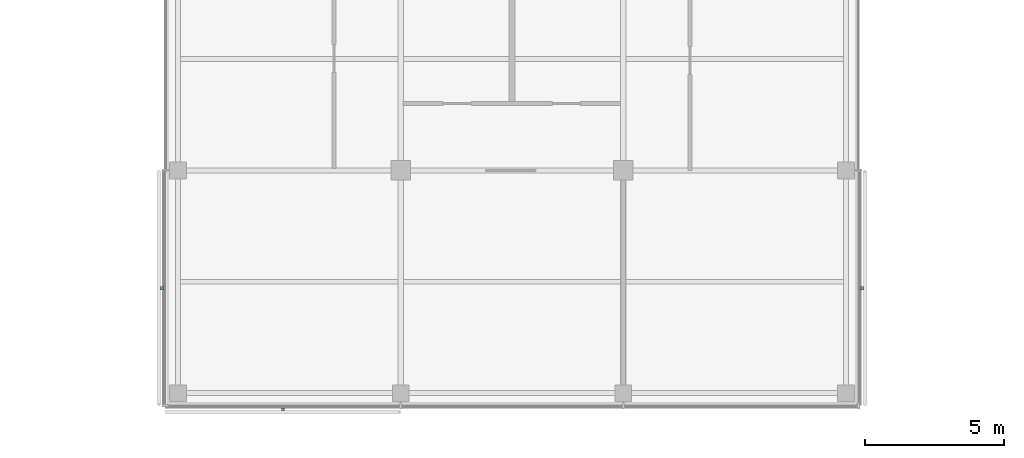
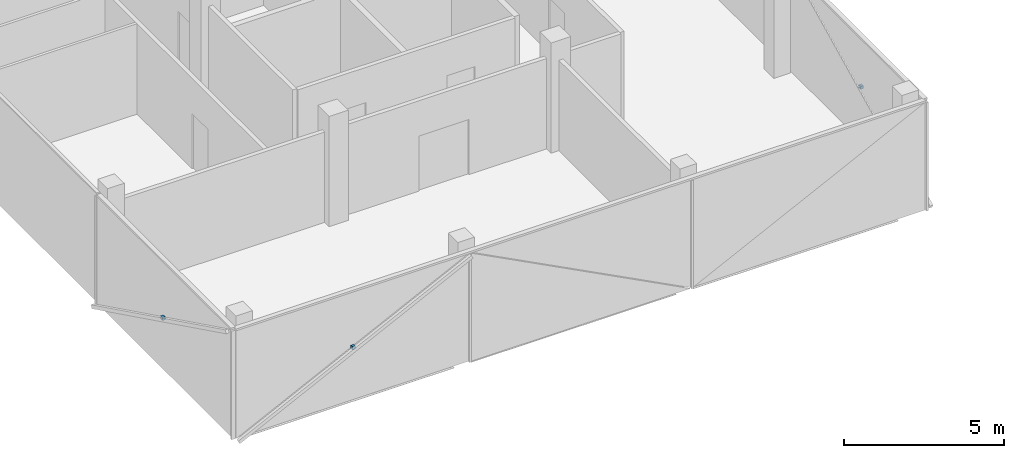
# One storey, part 14 of 16: 3 discrete accessories.
"""IFC4 building model written with IfcOpenShell, lengths in metres."""

import ifcopenshell
import ifcopenshell.guid

model = None  # the IFC model being written
_history = None  # IfcOwnerHistory: only IFC2X3 demands one
_inside = {}  # id of a spatial element -> (the spatial element, [elements in it])
_under = {}  # id of a project, library or spatial element -> (it, [spatial elements below it])
_declared = {}  # id of a project -> (the project, [libraries it declares])
_typed = {}  # id of a type object -> (the type object, [elements of that type])
_made_of = {}  # id of a material, layer set ... -> (it, [elements and type objects made of it])


def new_model(schema):
    """Start an empty IFC model of exactly this schema.

    Asked for "IFC4X3", IfcOpenShell would pick the latest addendum, in which some entities
    have other attributes; the version numbers below select the first issue.
    IFC2X3 requires an IfcOwnerHistory on every rooted entity: one is made here for all.
    """
    global model, _history
    if schema == "IFC4X3":
        model = ifcopenshell.file(schema_version=(4, 3, 0, 0))
    else:
        model = ifcopenshell.file(schema=schema)
    _inside.clear()
    _under.clear()
    _declared.clear()
    _typed.clear()
    _made_of.clear()
    _history = None
    if model.schema == "IFC2X3":
        org = make("IfcOrganization", Name="unknown")
        user = make(
            "IfcPersonAndOrganization",
            ThePerson=make("IfcPerson", FamilyName="unknown"),
            TheOrganization=org,
        )
        app = make(
            "IfcApplication",
            ApplicationDeveloper=org,
            Version="unknown",
            ApplicationFullName="unknown",
            ApplicationIdentifier="unknown",
        )
        _history = make(
            "IfcOwnerHistory",
            OwningUser=user,
            OwningApplication=app,
            ChangeAction="ADDED",
            CreationDate=0,
        )
    return model


def make(cls, **values):
    """One entity of the class cls with the attributes given. An attribute that is None is left unset."""
    return model.create_entity(
        cls, **{name: value for name, value in values.items() if value is not None}
    )


def rooted(cls, **values):
    """An entity with a GlobalId (a new one), such as an element, a storey or a relation."""
    return make(cls, GlobalId=ifcopenshell.guid.new(), OwnerHistory=_history, **values)


def si_unit(unit_type, name, prefix=None):
    """IfcSIUnit, for example si_unit("LENGTHUNIT", "METRE", prefix="MILLI")."""
    return make("IfcSIUnit", UnitType=unit_type, Prefix=prefix, Name=name)


def assignment(units):
    """IfcUnitAssignment: the units of a project."""
    return None if units is None else make("IfcUnitAssignment", Units=units)


def point(xyz):
    """IfcCartesianPoint."""
    return None if xyz is None else make("IfcCartesianPoint", Coordinates=xyz)


def direction(xyz):
    """IfcDirection."""
    return None if xyz is None else make("IfcDirection", DirectionRatios=xyz)


def frame(location, z_axis=None, x_axis=None):
    """IfcAxis2Placement3D, a coordinate frame: its origin and axes. An axis left out is left unset."""
    return make(
        "IfcAxis2Placement3D",
        Location=point(location),
        Axis=direction(z_axis),
        RefDirection=direction(x_axis),
    )


def frame_2d(location, x_axis=None):
    """IfcAxis2Placement2D, a coordinate frame in the plane: its origin and x axis."""
    return make(
        "IfcAxis2Placement2D", Location=point(location), RefDirection=direction(x_axis)
    )


def origin():
    """The frame at (0, 0, 0) with its axes left unset."""
    return frame((0.0, 0.0, 0.0))


def origin_2d():
    """The frame at (0, 0) in the plane with its x axis left unset."""
    return frame_2d((0.0, 0.0))


def place(relative_to, where):
    """IfcLocalPlacement: puts the frame where relative to a parent placement (None: the world)."""
    return make(
        "IfcLocalPlacement", PlacementRelTo=relative_to, RelativePlacement=where
    )


def context(
    kind, dimensions, precision=None, world=None, true_north=None, identifier=None
):
    """IfcGeometricRepresentationContext, for example the 3D "Model" context."""
    return make(
        "IfcGeometricRepresentationContext",
        ContextIdentifier=identifier,
        ContextType=kind,
        CoordinateSpaceDimension=dimensions,
        Precision=precision,
        WorldCoordinateSystem=world,
        TrueNorth=true_north,
    )


def subcontext(parent, identifier, kind, view, scale=None):
    """IfcGeometricRepresentationSubContext, for example "Body" below "Model"."""
    return make(
        "IfcGeometricRepresentationSubContext",
        ContextIdentifier=identifier,
        ContextType=kind,
        ParentContext=parent,
        TargetScale=scale,
        TargetView=view,
    )


def project(units=None, contexts=None):
    """IfcProject with its units and contexts."""
    return rooted(
        "IfcProject",
        Name="project",
        RepresentationContexts=contexts,
        UnitsInContext=assignment(units),
    )


def spatial(cls, under=None, at=None, **own):
    """A site, building, storey or space (cls), placed at a placement, below another one or the project."""
    s = rooted(cls, ObjectPlacement=at, **own)
    if under is not None:
        _under.setdefault(under.id(), (under, []))[1].append(s)
    return s


def profile(cls, at=None, kind="AREA", **sizes):
    """A parametric profile (cls). Its sizes go by their IFC names, for example OverallWidth=200.0."""
    return make(cls, ProfileType=kind, Position=at, **sizes)


def rectangle(**sizes):
    """IfcRectangleProfileDef."""
    return profile("IfcRectangleProfileDef", **sizes)


def extrude(swept, where, along, depth):
    """IfcExtrudedAreaSolid: the profile swept, set in the frame where, extruded along a direction by depth."""
    return make(
        "IfcExtrudedAreaSolid",
        SweptArea=swept,
        Position=where,
        ExtrudedDirection=direction(along),
        Depth=depth,
    )


def shape(context_of_items, identifier, shape_type, items):
    """IfcShapeRepresentation: the items that make up one representation, for example the "Body"."""
    return make(
        "IfcShapeRepresentation",
        ContextOfItems=context_of_items,
        RepresentationIdentifier=identifier,
        RepresentationType=shape_type,
        Items=items,
    )


def material(Name=None, Category=None):
    """IfcMaterial."""
    return make("IfcMaterial", Name=Name, Category=Category)


def made_of(thing, what):
    """Note that an element or type object is made of a material, layer set ...; save() writes the relation."""
    if what is not None:
        _made_of.setdefault(what.id(), (what, []))[1].append(thing)
    return thing


def type_object(cls, material=None, **own):
    """A type object (cls), such as IfcWallType, which elements share."""
    return made_of(rooted(cls, **own), material)


def element(
    cls,
    number,
    at=None,
    inside=None,
    cuts=None,
    type_object=None,
    material=None,
    context=None,
    identifier="Body",
    shape_type=None,
    held_by="IfcProductDefinitionShape",
    body=None,
    shapes=None,
    **own,
):
    """One element of the class cls, such as IfcWall. Its Tag is "e" and its number.

    at: its placement. inside: the storey or other place that contains it. cuts: it is an
    opening in that element (IfcRelVoidsElement). A single representation is given by context,
    identifier, shape_type and body (its items); several are given by shapes. held_by: the class
    of the entity that holds the representations. save() writes the other relations.
    """
    e = rooted(cls, Tag="e%d" % number, ObjectPlacement=at, **own)
    if body is not None:
        shapes = [shape(context, identifier, shape_type, body)]
    if shapes is not None:
        e.Representation = make(held_by, Representations=shapes)
    if inside is not None:
        _inside.setdefault(inside.id(), (inside, []))[1].append(e)
    if cuts is not None:
        rooted(
            "IfcRelVoidsElement", RelatingBuildingElement=cuts, RelatedOpeningElement=e
        )
    if type_object is not None:
        _typed.setdefault(type_object.id(), (type_object, []))[1].append(e)
    return made_of(e, material)


def aggregate(whole, parts):
    """IfcRelAggregates: a whole, such as a stair, and the parts it consists of."""
    return rooted("IfcRelAggregates", RelatingObject=whole, RelatedObjects=parts)


def save(model, path):
    """Write the relations noted so far, then the file.

    IfcRelAggregates (storeys below a building ...), IfcRelContainedInSpatialStructure (elements
    in a storey), IfcRelDefinesByType, IfcRelAssociatesMaterial and IfcRelDeclares: one each for
    every whole, place, type object, material and project.
    """
    for whole, parts in _under.values():
        aggregate(whole, parts)
    for where, things in _inside.values():
        rooted(
            "IfcRelContainedInSpatialStructure",
            RelatedElements=things,
            RelatingStructure=where,
        )
    for kind, things in _typed.values():
        rooted("IfcRelDefinesByType", RelatedObjects=things, RelatingType=kind)
    for what, things in _made_of.values():
        rooted("IfcRelAssociatesMaterial", RelatedObjects=things, RelatingMaterial=what)
    for by, libraries in _declared.values():
        rooted("IfcRelDeclares", RelatingContext=by, RelatedDefinitions=libraries)
    model.write(path)


model = new_model("IFC4")

# Units and contexts
model_context = context("Model", 3, precision=1e-05, world=origin(), true_north=direction((0.0, 1.0)))
body_context = subcontext(model_context, "Body", "Model", "MODEL_VIEW")
ifc_project = project(units=[si_unit("LENGTHUNIT", "METRE"), si_unit("AREAUNIT", "SQUARE_METRE"), si_unit("VOLUMEUNIT", "CUBIC_METRE"), si_unit("PLANEANGLEUNIT", "RADIAN"), si_unit("MASSUNIT", "GRAM", prefix="KILO")], contexts=[model_context])

# Site, building, storey
site_placement = place(None, origin())
site = spatial("IfcSite", under=ifc_project, at=site_placement, CompositionType="ELEMENT")
building_placement = place(site_placement, origin())
building = spatial("IfcBuilding", under=site, at=building_placement, Name="Crosswind Convention Tower", CompositionType="ELEMENT")
storey_placement = place(building_placement, frame((0.0, 0.0, 270.300048828125)))
storey = spatial("IfcBuildingStorey", under=building, at=storey_placement, Name="L58", CompositionType="ELEMENT", Elevation=270.300048828125)

# Discrete accessories
ifc_material = material(Name="Stainless steel", Category="steel")
discrete_accessory_type = type_object("IfcDiscreteAccessoryType", Name="BAGUETTE BRACKET BK3", PredefinedType="BRACKET", material=ifc_material)
for number, where, z_axis, x_axis, name in (
    (1, (112.424072265625, 75.77001953125, 1.704833984375), (0.0, 0.0, 1.0), (0.0, -1.0, 0.0), "BK3 baguette bracket"),
    (2, (116.77001953125, 71.424072265625, 1.704833984375), (0.0, 0.0, 1.0), (1.0, 0.0, 0.0), "BK3 baguette bracket"),
    (3, (137.575927734375, 75.77001953125, 1.704833984375), (0.0, 0.0, 1.0), (0.0, 1.0, 0.0), "BK3 baguette bracket"),
):
    element("IfcDiscreteAccessory", number, at=place(storey_placement, frame(where, z_axis=z_axis, x_axis=x_axis)), inside=storey, type_object=discrete_accessory_type, Name=name, PredefinedType="BRACKET", context=body_context, shape_type="SweptSolid", body=[
        extrude(rectangle(XDim=0.1201171875, YDim=0.10009765625, at=origin_2d()), origin(), (0.0, 0.0, 1.0), 0.1201171875),
    ])

save(model, "model.ifc")
